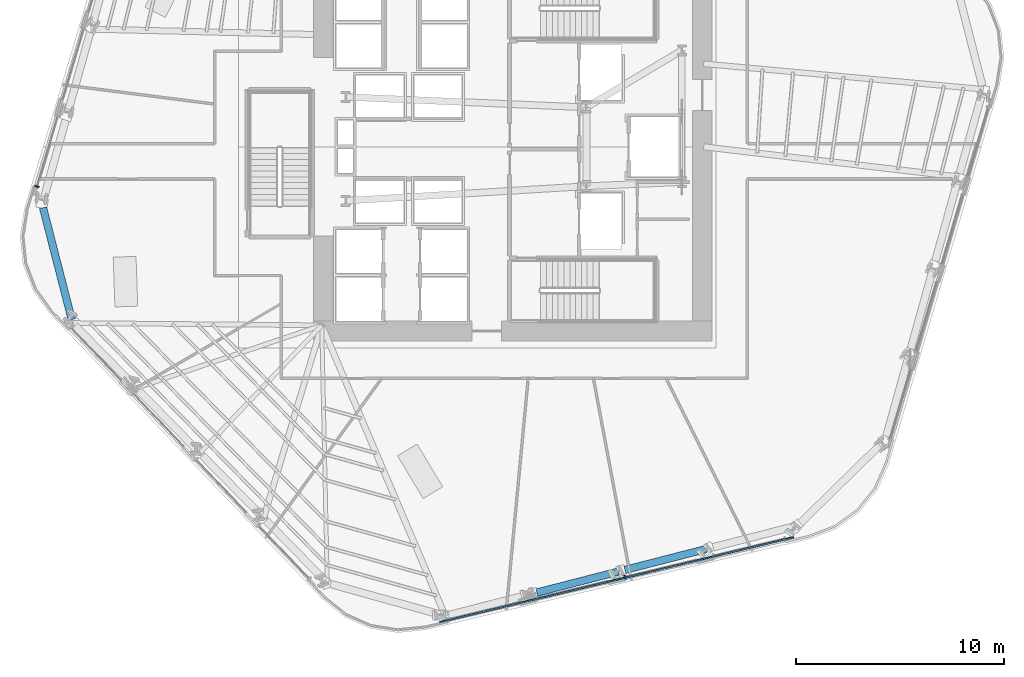
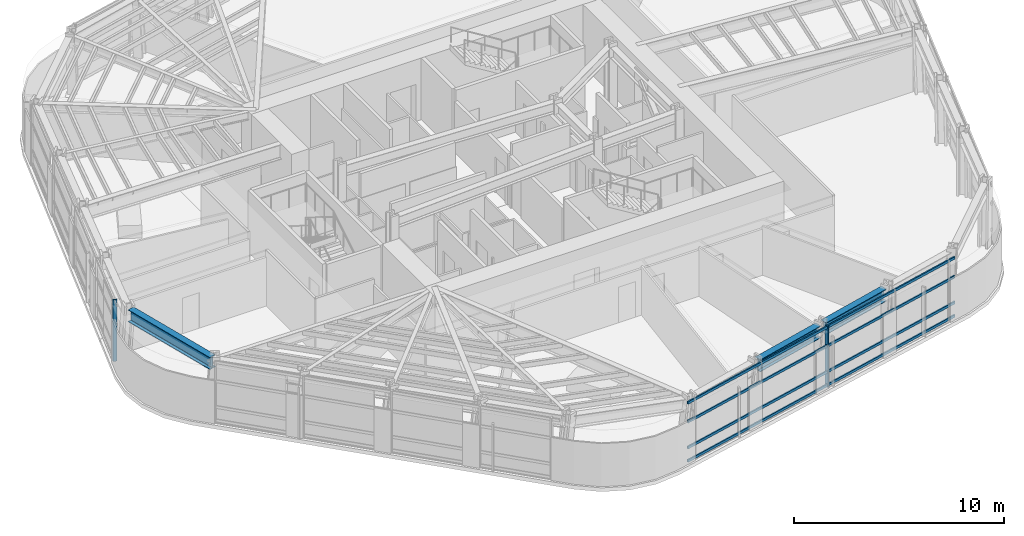
# One storey, part 3 of 17: 6 members, 3 beams, 2 elements without a shape of their own.
"""IFC4 building model written with IfcOpenShell, lengths in metres."""

from ifc_helpers import new_model, si_unit, direction, frame, origin, origin_2d, place, context, subcontext, project, spatial, rectangle, i_section, extrude, material, layer, layer_set, material_profile, profile_set, type_object, element, aggregate, save


model = new_model("IFC4")

# Units and contexts
model_context = context("Model", 3, precision=1e-05, world=origin(), true_north=direction((0.0, 1.0)))
body_context = subcontext(model_context, "Body", "Model", "MODEL_VIEW")
ifc_project = project(units=[si_unit("LENGTHUNIT", "METRE"), si_unit("AREAUNIT", "SQUARE_METRE"), si_unit("VOLUMEUNIT", "CUBIC_METRE"), si_unit("PLANEANGLEUNIT", "RADIAN"), si_unit("MASSUNIT", "GRAM", prefix="KILO")], contexts=[model_context])

# Site, building, storey
site_placement = place(None, origin())
site = spatial("IfcSite", under=ifc_project, at=site_placement, CompositionType="ELEMENT")
building_placement = place(site_placement, origin())
building = spatial("IfcBuilding", under=site, at=building_placement, Name="Valkerne Bourse Tower", CompositionType="ELEMENT")
storey_placement = place(building_placement, frame((0.0, 0.0, 82.0)))
storey = spatial("IfcBuildingStorey", under=building, at=storey_placement, Name="L20", CompositionType="ELEMENT", Elevation=82.0)

# Beams
ifc_material_1 = material(Name="Steel ASTM A992", Category="steel")
ifc_material_profile_1 = material_profile(ifc_material_1, i_section(OverallWidth=0.358154296875, OverallDepth=0.7060546875, WebThickness=0.018310546875, FlangeThickness=0.0302734375, FilletRadius=0.02294921875, at=origin_2d()), Name="W27X178")
ifc_profile_set_1 = profile_set([ifc_material_profile_1], Name="Steel ASTM A992")
beam_type = type_object("IfcBeamType", Name="BM-W27X178", PredefinedType="SPANDREL", material=ifc_profile_set_1)
beam_placement = place(storey_placement, frame((24.174072265625, 24.06298828125, 3.22705078125), z_axis=(0.248694141173, -0.968582068875, 0.0), x_axis=(0.968582068875, 0.248694141173, 0.0)))
element("IfcBeam", 1, at=beam_placement, inside=storey, type_object=beam_type, Name="L20 Hexagonal Spandrel Ring Beam 14", PredefinedType="SPANDREL", context=body_context, shape_type="SweptSolid", body=[
    extrude(i_section(OverallWidth=0.358154296875, OverallDepth=0.7060546875, WebThickness=0.018310546875, FlangeThickness=0.0302734375, FilletRadius=0.02294921875, at=origin_2d()), origin(), (0.0, 0.0, 1.0), 5.564208984375),
])
for number, where, z_axis, x_axis, name in (
    (2, (47.963623046875, 5.527099609375, 3.22705078125), (0.968588572138, 0.248668811725, 0.0), (-0.248668811725, 0.968588572138, 0.0), "L20 Hexagonal Spandrel Ring Beam 21"),
    (3, (52.208984375, 6.6171875, 3.22705078125), (0.968588572138, 0.248668811725, 0.0), (-0.248668811725, 0.968588572138, 0.0), "L20 Hexagonal Spandrel Ring Beam 22"),
):
    element("IfcBeam", number, at=place(storey_placement, frame(where, z_axis=z_axis, x_axis=x_axis)), inside=storey, type_object=beam_type, Name=name, PredefinedType="SPANDREL", context=body_context, shape_type="SweptSolid", body=[
        extrude(i_section(OverallWidth=0.358154296875, OverallDepth=0.7060546875, WebThickness=0.018310546875, FlangeThickness=0.0302734375, FilletRadius=0.02294921875, at=origin_2d()), origin(), (0.0, 0.0, 1.0), 4.04296875),
    ])

# Curtain wall, member
ifc_material_2 = material(Name="Aluminium AA 6063-T6", Category="aluminium")
ifc_layer = layer(ifc_material_2, 0.22998046875)
ifc_layer_set = layer_set([ifc_layer], Name="Aluminium AA 6063-T6")
curtain_wall_type = type_object("IfcCurtainWallType", Name="CW-02", PredefinedType="NOTDEFINED", material=ifc_layer_set)
curtain_wall_1_placement = place(storey_placement, origin())
curtain_wall_1 = element("IfcCurtainWall", 4, at=curtain_wall_1_placement, inside=storey, type_object=curtain_wall_type, Name="L20 Hexagonal Stick Curtain Wall Face 3", PredefinedType="NOTDEFINED")
ifc_material_profile_2 = material_profile(ifc_material_2, rectangle(XDim=0.074951171875, YDim=0.199951171875, at=origin_2d()), Name="CWM-75X200")
ifc_profile_set_2 = profile_set([ifc_material_profile_2], Name="Aluminium AA 6063-T6")
member_type_1 = type_object("IfcMemberType", Name="CW-MUL-220X75", PredefinedType="MULLION", material=ifc_profile_set_2)
member_1_placement = place(storey_placement, frame((23.88427734375, 25.08349609375, 0.0), z_axis=(0.0, 0.0, 1.0), x_axis=(-0.28400753931, -0.958822046897, 0.0)))
member_1 = element("IfcMember", 5, at=member_1_placement, type_object=member_type_1, Name="CW-L20-F3 Jamb Mullion 03B", PredefinedType="MULLION", context=body_context, shape_type="SweptSolid", body=[
    extrude(rectangle(XDim=0.074951171875, YDim=0.199951171875, at=origin_2d()), origin(), (0.0, 0.0, 1.0), 3.580078125),
])
aggregate(curtain_wall_1, [member_1])

# Curtain wall, members
curtain_wall_2_placement = place(storey_placement, origin())
curtain_wall_2 = element("IfcCurtainWall", 6, at=curtain_wall_2_placement, inside=storey, type_object=curtain_wall_type, Name="L20 Hexagonal Stick Curtain Wall Face 5", PredefinedType="NOTDEFINED")
member_2_placement = place(storey_placement, frame((52.210693359375, 6.26220703125, 0.0), z_axis=(0.0, 0.0, 1.0), x_axis=(0.972369488641, 0.233447162244, 0.0)))
member_2 = element("IfcMember", 7, at=member_2_placement, type_object=member_type_1, Name="CW-L20-F5 Jamb Mullion 02A", PredefinedType="MULLION", context=body_context, shape_type="SweptSolid", body=[
    extrude(rectangle(XDim=0.074951171875, YDim=0.199951171875, at=origin_2d()), origin(), (0.0, 0.0, 1.0), 3.580078125),
])
ifc_material_profile_3 = material_profile(ifc_material_2, rectangle(XDim=0.074951171875, YDim=0.14990234375, at=origin_2d()), Name="CWT-75X150")
ifc_profile_set_3 = profile_set([ifc_material_profile_3], Name="Aluminium AA 6063-T6")
member_type_2 = type_object("IfcMemberType", Name="CW-TRN-180X65", PredefinedType="USERDEFINED", material=ifc_profile_set_3)
member_3_placement = place(storey_placement, frame((43.282958984375, 4.098388671875, 0.1201171875), z_axis=(0.97236985563, 0.233445633634, 0.0), x_axis=(-0.233445633634, 0.97236985563, 0.0)))
member_3 = element("IfcMember", 8, at=member_3_placement, type_object=member_type_2, Name="CW-L20-F5 Continuous Face Transom 1", ObjectType="TRANSOM", PredefinedType="USERDEFINED", context=body_context, shape_type="SweptSolid", body=[
    extrude(rectangle(XDim=0.074951171875, YDim=0.14990234375, at=origin_2d()), origin(), (0.0, 0.0, 1.0), 17.531982421875),
])
member_4_placement = place(storey_placement, frame((43.282958984375, 4.098388671875, 0.89990234375), z_axis=(0.97236985563, 0.233445633634, 0.0), x_axis=(-0.233445633634, 0.97236985563, 0.0)))
member_4 = element("IfcMember", 9, at=member_4_placement, type_object=member_type_2, Name="CW-L20-F5 Continuous Face Transom 2", ObjectType="TRANSOM", PredefinedType="USERDEFINED", context=body_context, shape_type="SweptSolid", body=[
    extrude(rectangle(XDim=0.074951171875, YDim=0.14990234375, at=origin_2d()), origin(), (0.0, 0.0, 1.0), 17.531982421875),
])
member_5_placement = place(storey_placement, frame((43.282958984375, 4.098388671875, 2.39990234375), z_axis=(0.97236985563, 0.233445633634, 0.0), x_axis=(-0.233445633634, 0.97236985563, 0.0)))
member_5 = element("IfcMember", 10, at=member_5_placement, type_object=member_type_2, Name="CW-L20-F5 Continuous Face Transom 3", ObjectType="TRANSOM", PredefinedType="USERDEFINED", context=body_context, shape_type="SweptSolid", body=[
    extrude(rectangle(XDim=0.074951171875, YDim=0.14990234375, at=origin_2d()), origin(), (0.0, 0.0, 1.0), 17.531982421875),
])
member_6_placement = place(storey_placement, frame((43.282958984375, 4.098388671875, 3.5), z_axis=(0.97236985563, 0.233445633634, 0.0), x_axis=(-0.233445633634, 0.97236985563, 0.0)))
member_6 = element("IfcMember", 11, at=member_6_placement, type_object=member_type_2, Name="CW-L20-F5 Continuous Face Transom 4", ObjectType="TRANSOM", PredefinedType="USERDEFINED", context=body_context, shape_type="SweptSolid", body=[
    extrude(rectangle(XDim=0.074951171875, YDim=0.14990234375, at=origin_2d()), origin(), (0.0, 0.0, 1.0), 17.531982421875),
])
aggregate(curtain_wall_2, [member_3, member_4, member_5, member_6, member_2])

save(model, "model.ifc")
